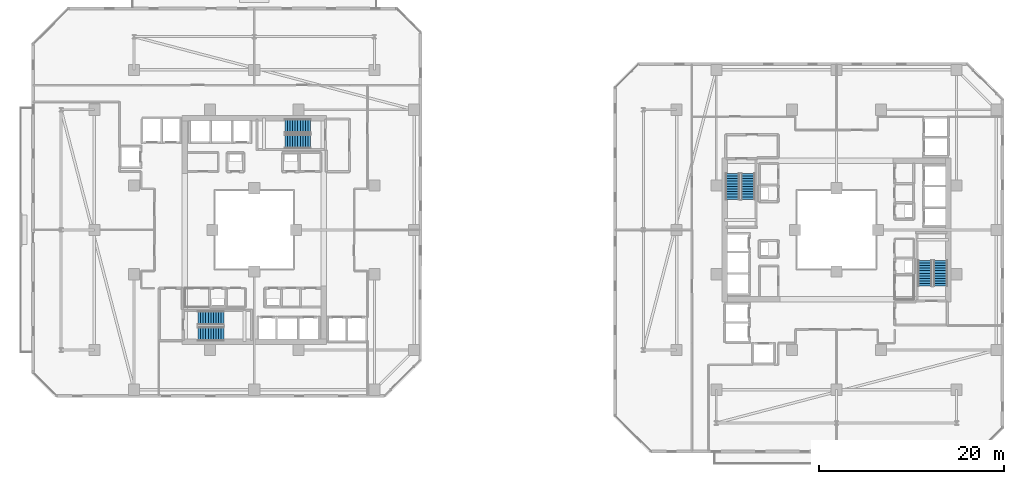
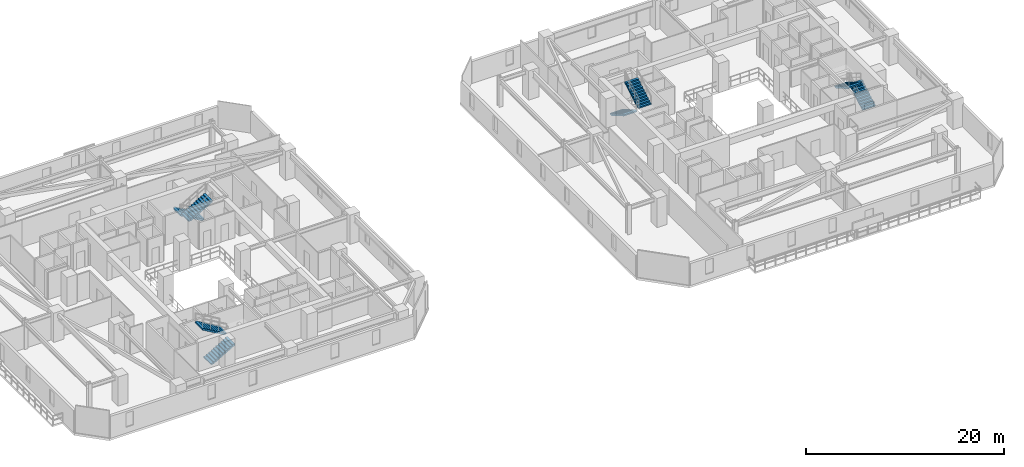
# One storey, part 27 of 33: 8 stair flights, 4 elements without a shape of their own.
"""IFC4 building model written with IfcOpenShell, lengths in metres."""

from ifc_helpers import new_model, si_unit, direction, frame, origin, place, context, subcontext, project, spatial, polyline, outline, extrude, material, type_object, element, aggregate, save


model = new_model("IFC4")

# Units and contexts
model_context = context("Model", 3, precision=1e-05, world=origin(), true_north=direction((0.0, 1.0)))
body_context = subcontext(model_context, "Body", "Model", "MODEL_VIEW")
ifc_project = project(units=[si_unit("LENGTHUNIT", "METRE"), si_unit("AREAUNIT", "SQUARE_METRE"), si_unit("VOLUMEUNIT", "CUBIC_METRE"), si_unit("PLANEANGLEUNIT", "RADIAN"), si_unit("MASSUNIT", "GRAM", prefix="KILO")], contexts=[model_context])

# Site, building, storey
site_placement = place(None, origin())
site = spatial("IfcSite", under=ifc_project, at=site_placement, CompositionType="ELEMENT")
building_placement = place(site_placement, origin())
building = spatial("IfcBuilding", under=site, at=building_placement, Name="Thornwick Lancets Civic Towers", CompositionType="ELEMENT")
storey_placement = place(building_placement, frame((0.0, 0.0, 101.699951171875)))
storey = spatial("IfcBuildingStorey", under=building, at=storey_placement, Name="L26", CompositionType="ELEMENT", Elevation=101.699951171875)

# Stair, stair flights
ifc_material = material(Name="Concrete C40/50", Category="concrete")
stair_type = type_object("IfcStairType", Name="STAIR_DL_3600", PredefinedType="HALF_TURN_STAIR", material=ifc_material)
stair_1_placement = place(storey_placement, origin())
stair_1 = element("IfcStair", 1, at=stair_1_placement, inside=storey, type_object=stair_type, Name="L26 Tower A South Exit Stair ST-A1", PredefinedType="HALF_TURN_STAIR")
stair_flight_type = type_object("IfcStairFlightType", Name="FLIGHT_3600", PredefinedType="STRAIGHT", material=ifc_material)
stair_flight_1_placement = place(storey_placement, frame((19.39990234375, 15.75, 0.0), z_axis=(0.0, 0.0, 1.0), x_axis=(1.0, 0.0, 0.0)))
stair_flight_1 = element("IfcStairFlight", 2, at=stair_flight_1_placement, type_object=stair_flight_type, Name="ST-A1 flight 1", NumberOfRisers=11, NumberOfTreads=10, PredefinedType="STRAIGHT", RiserHeight=0.163636364, TreadLength=0.28, context=body_context, shape_type="SweptSolid", body=[
    extrude(outline(polyline([(0.0, 0.0), (0.0, 0.16357421875), (0.280029296875, 0.16357421875), (0.280029296875, 0.327392578125), (0.56005859375, 0.327392578125), (0.56005859375, 0.490966796875), (0.840087890625, 0.490966796875), (0.840087890625, 0.654541015625), (1.1201171875, 0.654541015625), (1.1201171875, 0.818115234375), (1.39990234375, 0.818115234375), (1.39990234375, 0.98193359375), (1.679931640625, 0.98193359375), (1.679931640625, 1.1455078125), (1.9599609375, 1.1455078125), (1.9599609375, 1.30908203125), (2.239990234375, 1.30908203125), (2.239990234375, 1.47265625), (2.52001953125, 1.47265625), (2.52001953125, 1.636474609375), (2.800048828125, 1.636474609375), (2.800048828125, 1.800048828125), (2.800048828125, 1.462646484375), (0.297119140625, 0.0), (0.0, 0.0)])), frame((0.0, 0.75, 0.0), z_axis=(0.0, -1.0, 0.0), x_axis=(1.0, 0.0, 0.0)), (0.0, 0.0, 1.0), 1.5),
])
stair_flight_2_placement = place(storey_placement, frame((22.199951171875, 17.449951171875, 1.800048828125), z_axis=(0.0, 0.0, 1.0), x_axis=(-1.0, 0.0, 0.0)))
stair_flight_2 = element("IfcStairFlight", 3, at=stair_flight_2_placement, type_object=stair_flight_type, Name="ST-A1 flight 2", NumberOfRisers=11, NumberOfTreads=10, PredefinedType="STRAIGHT", RiserHeight=0.163636364, TreadLength=0.28, context=body_context, shape_type="SweptSolid", body=[
    extrude(outline(polyline([(0.0, 0.0), (0.0, 0.16357421875), (0.280029296875, 0.16357421875), (0.280029296875, 0.327392578125), (0.56005859375, 0.327392578125), (0.56005859375, 0.490966796875), (0.840087890625, 0.490966796875), (0.840087890625, 0.654541015625), (1.1201171875, 0.654541015625), (1.1201171875, 0.818115234375), (1.39990234375, 0.818115234375), (1.39990234375, 0.98193359375), (1.679931640625, 0.98193359375), (1.679931640625, 1.1455078125), (1.9599609375, 1.1455078125), (1.9599609375, 1.30908203125), (2.239990234375, 1.30908203125), (2.239990234375, 1.47265625), (2.52001953125, 1.47265625), (2.52001953125, 1.636474609375), (2.800048828125, 1.636474609375), (2.800048828125, 1.800048828125), (2.800048828125, 1.462646484375), (0.297119140625, 0.0), (0.0, 0.0)])), frame((0.0, 0.75, 0.0), z_axis=(0.0, -1.0, 0.0), x_axis=(1.0, 0.0, 0.0)), (0.0, 0.0, 1.0), 1.5),
])
aggregate(stair_1, [stair_flight_1, stair_flight_2])

stair_2_placement = place(storey_placement, origin())
stair_2 = element("IfcStair", 4, at=stair_2_placement, inside=storey, type_object=stair_type, Name="L26 Tower A North Exit Stair ST-A2", PredefinedType="HALF_TURN_STAIR")
stair_flight_3_placement = place(storey_placement, frame((31.60009765625, 38.25, 0.0), z_axis=(0.0, 0.0, 1.0), x_axis=(-1.0, 0.0, 0.0)))
stair_flight_3 = element("IfcStairFlight", 5, at=stair_flight_3_placement, type_object=stair_flight_type, Name="ST-A2 flight 1", NumberOfRisers=11, NumberOfTreads=10, PredefinedType="STRAIGHT", RiserHeight=0.163636364, TreadLength=0.28, context=body_context, shape_type="SweptSolid", body=[
    extrude(outline(polyline([(0.0, 0.0), (0.0, 0.16357421875), (0.280029296875, 0.16357421875), (0.280029296875, 0.327392578125), (0.56005859375, 0.327392578125), (0.56005859375, 0.490966796875), (0.840087890625, 0.490966796875), (0.840087890625, 0.654541015625), (1.1201171875, 0.654541015625), (1.1201171875, 0.818115234375), (1.39990234375, 0.818115234375), (1.39990234375, 0.98193359375), (1.679931640625, 0.98193359375), (1.679931640625, 1.1455078125), (1.9599609375, 1.1455078125), (1.9599609375, 1.30908203125), (2.239990234375, 1.30908203125), (2.239990234375, 1.47265625), (2.52001953125, 1.47265625), (2.52001953125, 1.636474609375), (2.800048828125, 1.636474609375), (2.800048828125, 1.800048828125), (2.800048828125, 1.462646484375), (0.297119140625, 0.0), (0.0, 0.0)])), frame((0.0, 0.75, 0.0), z_axis=(0.0, -1.0, 0.0), x_axis=(1.0, 0.0, 0.0)), (0.0, 0.0, 1.0), 1.5),
])
stair_flight_4_placement = place(storey_placement, frame((28.800048828125, 36.550048828125, 1.800048828125), z_axis=(0.0, 0.0, 1.0), x_axis=(1.0, 0.0, 0.0)))
stair_flight_4 = element("IfcStairFlight", 6, at=stair_flight_4_placement, type_object=stair_flight_type, Name="ST-A2 flight 2", NumberOfRisers=11, NumberOfTreads=10, PredefinedType="STRAIGHT", RiserHeight=0.163636364, TreadLength=0.28, context=body_context, shape_type="SweptSolid", body=[
    extrude(outline(polyline([(0.0, 0.0), (0.0, 0.16357421875), (0.280029296875, 0.16357421875), (0.280029296875, 0.327392578125), (0.56005859375, 0.327392578125), (0.56005859375, 0.490966796875), (0.840087890625, 0.490966796875), (0.840087890625, 0.654541015625), (1.1201171875, 0.654541015625), (1.1201171875, 0.818115234375), (1.39990234375, 0.818115234375), (1.39990234375, 0.98193359375), (1.679931640625, 0.98193359375), (1.679931640625, 1.1455078125), (1.9599609375, 1.1455078125), (1.9599609375, 1.30908203125), (2.239990234375, 1.30908203125), (2.239990234375, 1.47265625), (2.52001953125, 1.47265625), (2.52001953125, 1.636474609375), (2.800048828125, 1.636474609375), (2.800048828125, 1.800048828125), (2.800048828125, 1.462646484375), (0.297119140625, 0.0), (0.0, 0.0)])), frame((0.0, 0.75, 0.0), z_axis=(0.0, -1.0, 0.0), x_axis=(1.0, 0.0, 0.0)), (0.0, 0.0, 1.0), 1.5),
])
aggregate(stair_2, [stair_flight_3, stair_flight_4])

stair_3_placement = place(storey_placement, origin())
stair_3 = element("IfcStair", 7, at=stair_3_placement, inside=storey, type_object=stair_type, Name="L26 Tower B East Exit Stair ST-B1", PredefinedType="HALF_TURN_STAIR")
stair_flight_5_placement = place(storey_placement, frame((99.75, 20.89990234375, 0.0), z_axis=(0.0, 0.0, 1.0), x_axis=(0.0, 1.0, 0.0)))
stair_flight_5 = element("IfcStairFlight", 8, at=stair_flight_5_placement, type_object=stair_flight_type, Name="ST-B1 flight 1", NumberOfRisers=11, NumberOfTreads=10, PredefinedType="STRAIGHT", RiserHeight=0.163636364, TreadLength=0.28, context=body_context, shape_type="SweptSolid", body=[
    extrude(outline(polyline([(0.0, 0.0), (0.0, 0.16357421875), (0.280029296875, 0.16357421875), (0.280029296875, 0.327392578125), (0.56005859375, 0.327392578125), (0.56005859375, 0.490966796875), (0.840087890625, 0.490966796875), (0.840087890625, 0.654541015625), (1.1201171875, 0.654541015625), (1.1201171875, 0.818115234375), (1.39990234375, 0.818115234375), (1.39990234375, 0.98193359375), (1.679931640625, 0.98193359375), (1.679931640625, 1.1455078125), (1.9599609375, 1.1455078125), (1.9599609375, 1.30908203125), (2.239990234375, 1.30908203125), (2.239990234375, 1.47265625), (2.52001953125, 1.47265625), (2.52001953125, 1.636474609375), (2.800048828125, 1.636474609375), (2.800048828125, 1.800048828125), (2.800048828125, 1.462646484375), (0.297119140625, 0.0), (0.0, 0.0)])), frame((0.0, 0.75, 0.0), z_axis=(0.0, -1.0, 0.0), x_axis=(1.0, 0.0, 0.0)), (0.0, 0.0, 1.0), 1.5),
])
stair_flight_6_placement = place(storey_placement, frame((98.050048828125, 23.699951171875, 1.800048828125), z_axis=(0.0, 0.0, 1.0), x_axis=(0.0, -1.0, 0.0)))
stair_flight_6 = element("IfcStairFlight", 9, at=stair_flight_6_placement, type_object=stair_flight_type, Name="ST-B1 flight 2", NumberOfRisers=11, NumberOfTreads=10, PredefinedType="STRAIGHT", RiserHeight=0.163636364, TreadLength=0.28, context=body_context, shape_type="SweptSolid", body=[
    extrude(outline(polyline([(0.0, 0.0), (0.0, 0.16357421875), (0.280029296875, 0.16357421875), (0.280029296875, 0.327392578125), (0.56005859375, 0.327392578125), (0.56005859375, 0.490966796875), (0.840087890625, 0.490966796875), (0.840087890625, 0.654541015625), (1.1201171875, 0.654541015625), (1.1201171875, 0.818115234375), (1.39990234375, 0.818115234375), (1.39990234375, 0.98193359375), (1.679931640625, 0.98193359375), (1.679931640625, 1.1455078125), (1.9599609375, 1.1455078125), (1.9599609375, 1.30908203125), (2.239990234375, 1.30908203125), (2.239990234375, 1.47265625), (2.52001953125, 1.47265625), (2.52001953125, 1.636474609375), (2.800048828125, 1.636474609375), (2.800048828125, 1.800048828125), (2.800048828125, 1.462646484375), (0.297119140625, 0.0), (0.0, 0.0)])), frame((0.0, 0.75, 0.0), z_axis=(0.0, -1.0, 0.0), x_axis=(1.0, 0.0, 0.0)), (0.0, 0.0, 1.0), 1.5),
])
aggregate(stair_3, [stair_flight_5, stair_flight_6])

stair_4_placement = place(storey_placement, origin())
stair_4 = element("IfcStair", 10, at=stair_4_placement, inside=storey, type_object=stair_type, Name="L26 Tower B West Exit Stair ST-B2", PredefinedType="HALF_TURN_STAIR")
stair_flight_7_placement = place(storey_placement, frame((77.25, 33.10009765625, 0.0), z_axis=(0.0, 0.0, 1.0), x_axis=(0.0, -1.0, 0.0)))
stair_flight_7 = element("IfcStairFlight", 11, at=stair_flight_7_placement, type_object=stair_flight_type, Name="ST-B2 flight 1", NumberOfRisers=11, NumberOfTreads=10, PredefinedType="STRAIGHT", RiserHeight=0.163636364, TreadLength=0.28, context=body_context, shape_type="SweptSolid", body=[
    extrude(outline(polyline([(0.0, 0.0), (0.0, 0.16357421875), (0.280029296875, 0.16357421875), (0.280029296875, 0.327392578125), (0.56005859375, 0.327392578125), (0.56005859375, 0.490966796875), (0.840087890625, 0.490966796875), (0.840087890625, 0.654541015625), (1.1201171875, 0.654541015625), (1.1201171875, 0.818115234375), (1.39990234375, 0.818115234375), (1.39990234375, 0.98193359375), (1.679931640625, 0.98193359375), (1.679931640625, 1.1455078125), (1.9599609375, 1.1455078125), (1.9599609375, 1.30908203125), (2.239990234375, 1.30908203125), (2.239990234375, 1.47265625), (2.52001953125, 1.47265625), (2.52001953125, 1.636474609375), (2.800048828125, 1.636474609375), (2.800048828125, 1.800048828125), (2.800048828125, 1.462646484375), (0.297119140625, 0.0), (0.0, 0.0)])), frame((0.0, 0.75, 0.0), z_axis=(0.0, -1.0, 0.0), x_axis=(1.0, 0.0, 0.0)), (0.0, 0.0, 1.0), 1.5),
])
stair_flight_8_placement = place(storey_placement, frame((78.949951171875, 30.300048828125, 1.800048828125), z_axis=(0.0, 0.0, 1.0), x_axis=(0.0, 1.0, 0.0)))
stair_flight_8 = element("IfcStairFlight", 12, at=stair_flight_8_placement, type_object=stair_flight_type, Name="ST-B2 flight 2", NumberOfRisers=11, NumberOfTreads=10, PredefinedType="STRAIGHT", RiserHeight=0.163636364, TreadLength=0.28, context=body_context, shape_type="SweptSolid", body=[
    extrude(outline(polyline([(0.0, 0.0), (0.0, 0.16357421875), (0.280029296875, 0.16357421875), (0.280029296875, 0.327392578125), (0.56005859375, 0.327392578125), (0.56005859375, 0.490966796875), (0.840087890625, 0.490966796875), (0.840087890625, 0.654541015625), (1.1201171875, 0.654541015625), (1.1201171875, 0.818115234375), (1.39990234375, 0.818115234375), (1.39990234375, 0.98193359375), (1.679931640625, 0.98193359375), (1.679931640625, 1.1455078125), (1.9599609375, 1.1455078125), (1.9599609375, 1.30908203125), (2.239990234375, 1.30908203125), (2.239990234375, 1.47265625), (2.52001953125, 1.47265625), (2.52001953125, 1.636474609375), (2.800048828125, 1.636474609375), (2.800048828125, 1.800048828125), (2.800048828125, 1.462646484375), (0.297119140625, 0.0), (0.0, 0.0)])), frame((0.0, 0.75, 0.0), z_axis=(0.0, -1.0, 0.0), x_axis=(1.0, 0.0, 0.0)), (0.0, 0.0, 1.0), 1.5),
])
aggregate(stair_4, [stair_flight_7, stair_flight_8])

save(model, "model.ifc")
